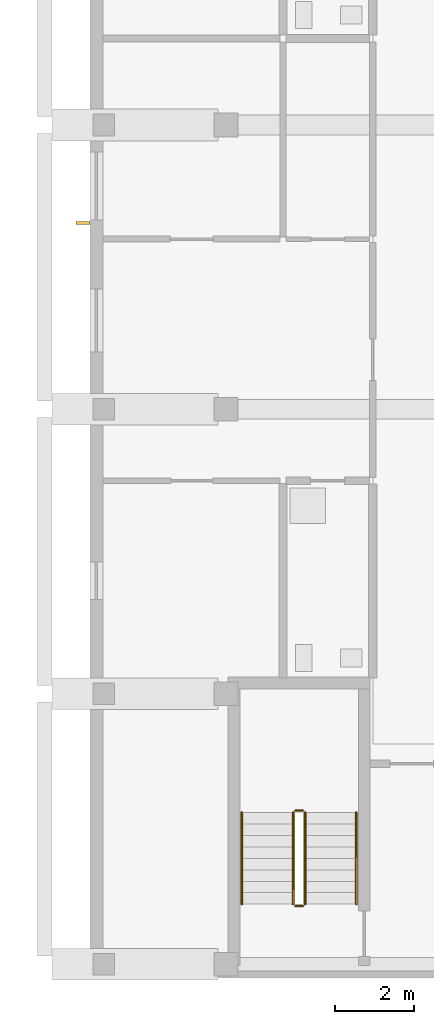
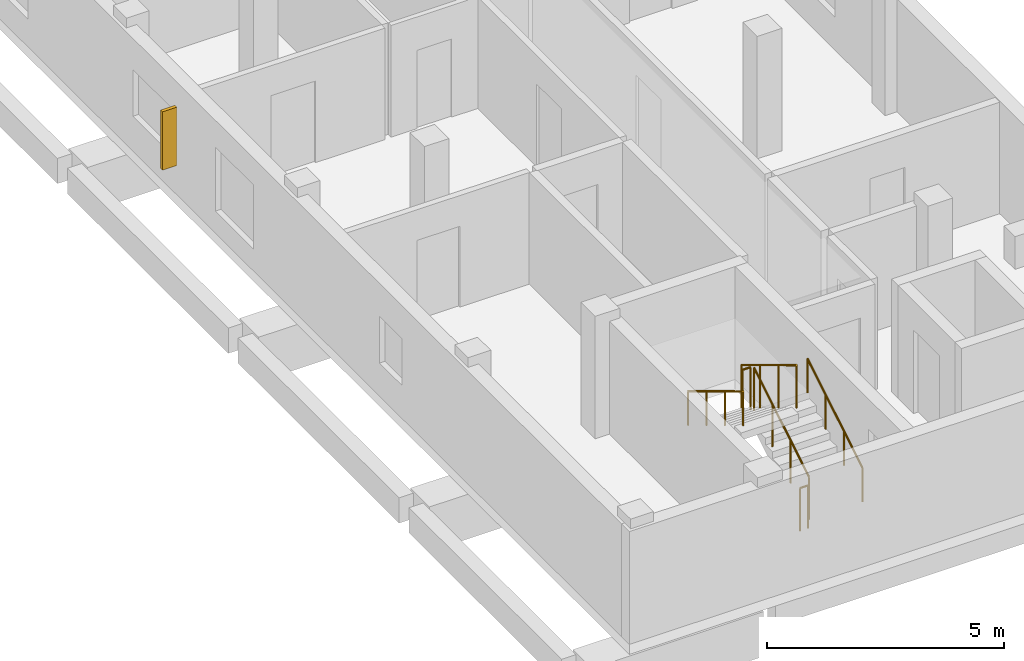
# One storey, part 32 of 38: 6 railings, 1 shading device.
"""IFC4 building model written with IfcOpenShell, lengths in metres."""

from ifc_helpers import new_model, si_unit, derived_unit, direction, frame, origin, origin_2d, place, context, subcontext, project, spatial, rectangle, circle, extrude, material, type_object, element, save


model = new_model("IFC4")

# Units and contexts
model_context = context("Model", 3, precision=1e-05, world=origin(), true_north=direction((0.0, 1.0)))
body_context = subcontext(model_context, "Body", "Model", "MODEL_VIEW")
ifc_project = project(units=[si_unit("LENGTHUNIT", "METRE"), si_unit("AREAUNIT", "SQUARE_METRE"), si_unit("VOLUMEUNIT", "CUBIC_METRE"), si_unit("PLANEANGLEUNIT", "RADIAN"), si_unit("MASSUNIT", "GRAM", prefix="KILO"), derived_unit("THERMALTRANSMITTANCEUNIT", [(si_unit("MASSUNIT", "GRAM", prefix="KILO"), 1), (si_unit("TIMEUNIT", "SECOND"), -3), (si_unit("THERMODYNAMICTEMPERATUREUNIT", "KELVIN"), -1)])], contexts=[model_context])

# Site, building, storey
site_placement = place(None, origin())
site = spatial("IfcSite", under=ifc_project, at=site_placement, CompositionType="ELEMENT")
building_placement = place(site_placement, origin())
building = spatial("IfcBuilding", under=site, at=building_placement, Name="Ochrekiln Boulevard Commons", CompositionType="ELEMENT")
storey_placement = place(building_placement, frame((0.0, 0.0, 24.675048828125)))
storey = spatial("IfcBuildingStorey", under=building, at=storey_placement, Name="L07", CompositionType="ELEMENT", Elevation=24.675048828125)

# Railings
ifc_material_1 = material(Name="Brushed stainless steel 316 tubular railing", Category="steel")
railing_type_1 = type_object("IfcRailingType", Name="RLG-HDR-900", PredefinedType="HANDRAIL", material=ifc_material_1)
railing_1_placement = place(storey_placement, frame((159.449951171875, 1.8701171875, 0.175048828125)))
element("IfcRailing", 1, at=railing_1_placement, inside=storey, type_object=railing_type_1, Name="L07 ST-C1 stair handrail 1", PredefinedType="HANDRAIL", context=body_context, shape_type="SweptSolid", body=[
    extrude(circle(Radius=0.02392578125, at=origin_2d()), frame((0.0, 0.0, 0.8759765625), z_axis=(0.0, 0.856186286599, 0.516667245565), x_axis=(-1.0, 0.0, 0.0)), (0.0, 0.0, 1.0), 2.70947265625),
    extrude(circle(Radius=0.02099609375, at=origin_2d()), origin(), (0.0, 0.0, 1.0), 0.851806640625),
    extrude(circle(Radius=0.02099609375, at=origin_2d()), frame((0.0, 0.773193359375, 0.466552734375)), (0.0, 0.0, 1.0), 0.851806640625),
    extrude(circle(Radius=0.02099609375, at=origin_2d()), frame((0.0, 1.546630859375, 0.933349609375)), (0.0, 0.0, 1.0), 0.851806640625),
    extrude(circle(Radius=0.02099609375, at=origin_2d()), frame((0.0, 2.31982421875, 1.39990234375)), (0.0, 0.0, 1.0), 0.851806640625),
])
railing_2_placement = place(storey_placement, frame((156.550048828125, 4.18994140625, 1.75)))
element("IfcRailing", 2, at=railing_2_placement, inside=storey, type_object=railing_type_1, Name="L07 ST-C1 stair handrail 2", PredefinedType="HANDRAIL", context=body_context, shape_type="SweptSolid", body=[
    extrude(circle(Radius=0.02392578125, at=origin_2d()), frame((0.0, 0.0, 0.8759765625), z_axis=(0.0, -0.856186286599, 0.516667245565), x_axis=(1.0, 0.0, 0.0)), (0.0, 0.0, 1.0), 2.70947265625),
    extrude(circle(Radius=0.02099609375, at=origin_2d()), origin(), (0.0, 0.0, 1.0), 0.851806640625),
    extrude(circle(Radius=0.02099609375, at=origin_2d()), frame((0.0, -0.773193359375, 0.466552734375)), (0.0, 0.0, 1.0), 0.851806640625),
    extrude(circle(Radius=0.02099609375, at=origin_2d()), frame((0.0, -1.546630859375, 0.933349609375)), (0.0, 0.0, 1.0), 0.851806640625),
    extrude(circle(Radius=0.02099609375, at=origin_2d()), frame((0.0, -2.31982421875, 1.39990234375)), (0.0, 0.0, 1.0), 0.851806640625),
])
railing_type_2 = type_object("IfcRailingType", Name="RLG-STR-1120", PredefinedType="BALUSTRADE", material=ifc_material_1)
railing_3_placement = place(storey_placement, frame((158.14990234375, 1.8701171875, 0.175048828125)))
element("IfcRailing", 3, at=railing_3_placement, inside=storey, type_object=railing_type_2, Name="L07 ST-C1 stair guard 1", PredefinedType="BALUSTRADE", context=body_context, shape_type="SweptSolid", body=[
    extrude(circle(Radius=0.02392578125, at=origin_2d()), frame((0.0, 0.0, 1.09619140625), z_axis=(0.0, 0.856186286599, 0.516667245565), x_axis=(-1.0, 0.0, 0.0)), (0.0, 0.0, 1.0), 2.70947265625),
    extrude(circle(Radius=0.02099609375, at=origin_2d()), origin(), (0.0, 0.0, 1.0), 1.072021484375),
    extrude(circle(Radius=0.02099609375, at=origin_2d()), frame((0.0, 0.773193359375, 0.466552734375)), (0.0, 0.0, 1.0), 1.072021484375),
    extrude(circle(Radius=0.02099609375, at=origin_2d()), frame((0.0, 1.546630859375, 0.933349609375)), (0.0, 0.0, 1.0), 1.072021484375),
    extrude(circle(Radius=0.02099609375, at=origin_2d()), frame((0.0, 2.31982421875, 1.39990234375)), (0.0, 0.0, 1.0), 1.072021484375),
])
railing_4_placement = place(storey_placement, frame((158.10009765625, 4.239990234375, 1.574951171875)))
element("IfcRailing", 4, at=railing_4_placement, inside=storey, type_object=railing_type_2, Name="L07 ST-C1 stair guard 2", PredefinedType="BALUSTRADE", context=body_context, shape_type="SweptSolid", body=[
    extrude(circle(Radius=0.02392578125, at=origin_2d()), frame((0.0, 0.0, 1.09619140625), z_axis=(-1.0, 0.0, 0.0), x_axis=(0.0, -1.0, 0.0)), (0.0, 0.0, 1.0), 0.2001953125),
    extrude(circle(Radius=0.02099609375, at=origin_2d()), origin(), (0.0, 0.0, 1.0), 1.072021484375),
    extrude(circle(Radius=0.02099609375, at=origin_2d()), frame((-0.2001953125, 0.0, 0.0)), (0.0, 0.0, 1.0), 1.072021484375),
])
railing_5_placement = place(storey_placement, frame((157.85009765625, 4.18994140625, 1.75)))
element("IfcRailing", 5, at=railing_5_placement, inside=storey, type_object=railing_type_2, Name="L07 ST-C1 stair guard 3", PredefinedType="BALUSTRADE", context=body_context, shape_type="SweptSolid", body=[
    extrude(circle(Radius=0.02392578125, at=origin_2d()), frame((0.0, 0.0, 1.09619140625), z_axis=(0.0, -0.856186286599, 0.516667245565), x_axis=(1.0, 0.0, 0.0)), (0.0, 0.0, 1.0), 2.70947265625),
    extrude(circle(Radius=0.02099609375, at=origin_2d()), origin(), (0.0, 0.0, 1.0), 1.072021484375),
    extrude(circle(Radius=0.02099609375, at=origin_2d()), frame((0.0, -0.773193359375, 0.466552734375)), (0.0, 0.0, 1.0), 1.072021484375),
    extrude(circle(Radius=0.02099609375, at=origin_2d()), frame((0.0, -1.546630859375, 0.933349609375)), (0.0, 0.0, 1.0), 1.072021484375),
    extrude(circle(Radius=0.02099609375, at=origin_2d()), frame((0.0, -2.31982421875, 1.39990234375)), (0.0, 0.0, 1.0), 1.072021484375),
])
railing_6_placement = place(storey_placement, frame((158.10009765625, 1.820068359375, 0.0)))
element("IfcRailing", 6, at=railing_6_placement, inside=storey, type_object=railing_type_2, Name="L07 ST-C1 stair guard 4", PredefinedType="BALUSTRADE", context=body_context, shape_type="SweptSolid", body=[
    extrude(circle(Radius=0.02392578125, at=origin_2d()), frame((0.0, 0.0, 1.09619140625), z_axis=(-1.0, 0.0, 0.0), x_axis=(0.0, -1.0, 0.0)), (0.0, 0.0, 1.0), 0.2001953125),
    extrude(circle(Radius=0.02099609375, at=origin_2d()), origin(), (0.0, 0.0, 1.0), 1.072021484375),
    extrude(circle(Radius=0.02099609375, at=origin_2d()), frame((-0.2001953125, 0.0, 0.0)), (0.0, 0.0, 1.0), 1.072021484375),
])

# Shading device
ifc_material_2 = material(Name="Glazed architectural terracotta ASTM C1405", Category="masonry")
shading_device_type = type_object("IfcShadingDeviceType", Name="SHD-FIN-TERRA", PredefinedType="JALOUSIE", material=ifc_material_2)
shading_device_placement = place(storey_placement, frame((152.530029296875, 19.1201171875, 0.75), z_axis=(0.0, 0.0, 1.0), x_axis=(1.0, 0.0, 0.0)))
element("IfcShadingDevice", 7, at=shading_device_placement, inside=storey, type_object=shading_device_type, Name="Terracotta Solar Shading Fin SF-01 (66)", PredefinedType="JALOUSIE", context=body_context, shape_type="SweptSolid", body=[
    extrude(rectangle(XDim=0.35009765625, YDim=0.080078125, at=origin_2d()), origin(), (0.0, 0.0, 1.0), 1.5),
])

save(model, "model.ifc")
